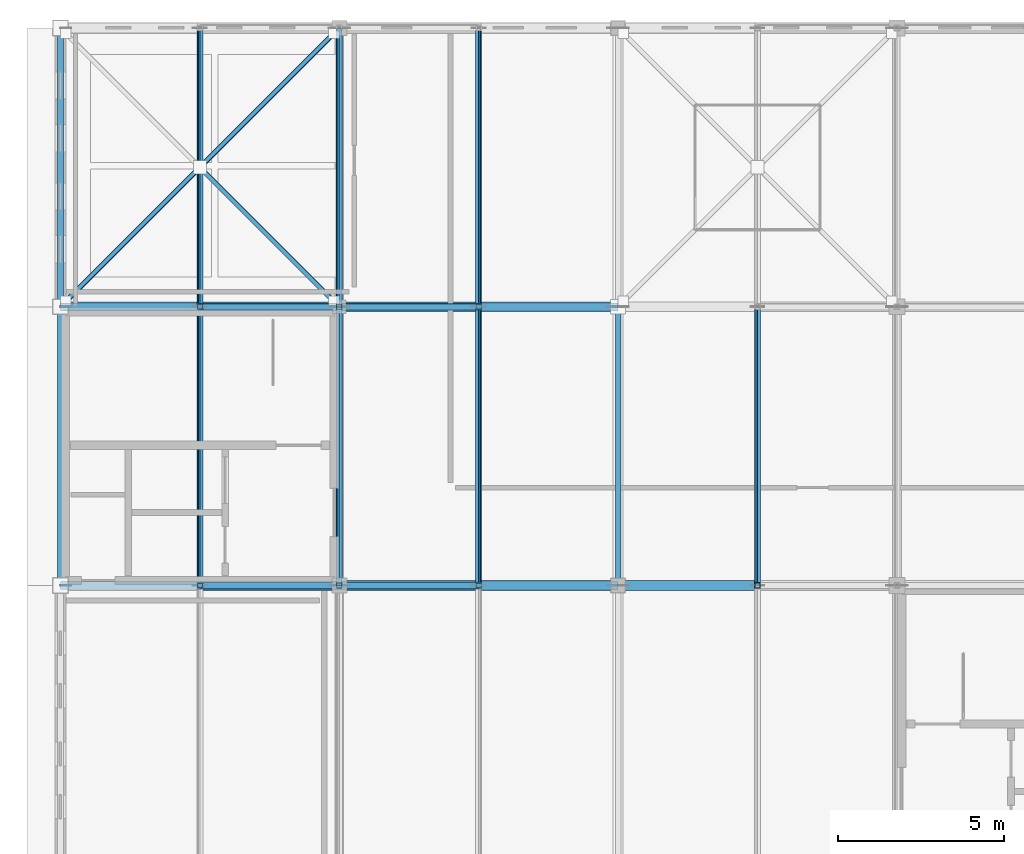
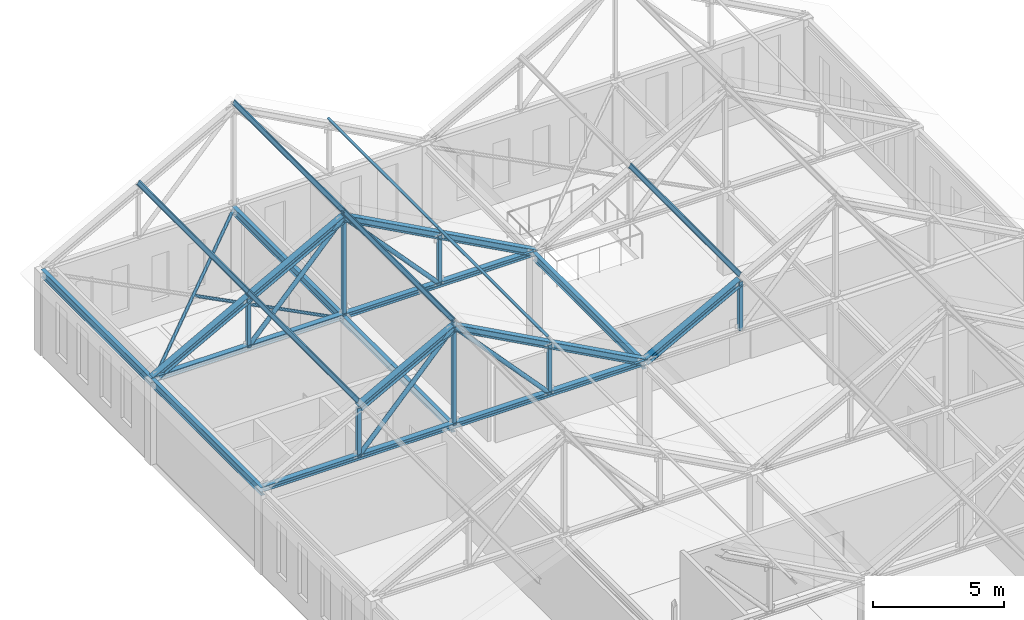
# One storey, part 12 of 36: 30 members, 5 beams.
"""IFC4 building model written with IfcOpenShell, lengths in metres."""

from ifc_helpers import new_model, si_unit, direction, frame, origin, origin_2d, place, context, subcontext, project, spatial, hollow_rectangle, hollow_circle, i_section, extrude, material, material_profile, profile_set, type_object, element, save


model = new_model("IFC4")

# Units and contexts
model_context = context("Model", 3, precision=1e-05, world=origin(), true_north=direction((0.0, 1.0)))
body_context = subcontext(model_context, "Body", "Model", "MODEL_VIEW")
ifc_project = project(units=[si_unit("LENGTHUNIT", "METRE"), si_unit("AREAUNIT", "SQUARE_METRE"), si_unit("VOLUMEUNIT", "CUBIC_METRE"), si_unit("PLANEANGLEUNIT", "RADIAN"), si_unit("MASSUNIT", "GRAM", prefix="KILO")], contexts=[model_context])

# Site, building, storey
site_placement = place(None, origin())
site = spatial("IfcSite", under=ifc_project, at=site_placement, CompositionType="ELEMENT")
building_placement = place(site_placement, origin())
building = spatial("IfcBuilding", under=site, at=building_placement, Name="Kveldsbrygga Polytechnic", CompositionType="ELEMENT")
storey_placement = place(building_placement, frame((0.0, 0.0, 26.179931640625)))
storey = spatial("IfcBuildingStorey", under=building, at=storey_placement, Name="L06", CompositionType="ELEMENT", Elevation=26.179931640625)

# Beams
ifc_material = material(Name="Steel S355", Category="steel")
ifc_material_profile_1 = material_profile(ifc_material, i_section(OverallWidth=0.169921875, OverallDepth=0.360107421875, WebThickness=0.008056640625, FlangeThickness=0.0126953125, FilletRadius=0.01806640625, at=origin_2d()), Name="IPE 360")
ifc_profile_set_1 = profile_set([ifc_material_profile_1], Name="Steel S355")
beam_type = type_object("IfcBeamType", Name="BM-STL-IPE360", PredefinedType="BEAM", material=ifc_profile_set_1)
beam_1_placement = place(storey_placement, frame((126.0, 84.0, 3.66015625), z_axis=(0.0, 1.0, 0.0), x_axis=(-1.0, 0.0, 0.0)))
element("IfcBeam", 1, at=beam_1_placement, inside=storey, type_object=beam_type, Name="Attic Eaves Tie Beam BMY-L06-TOP-15-10", PredefinedType="BEAM", context=body_context, shape_type="SweptSolid", body=[
    extrude(i_section(OverallWidth=0.169921875, OverallDepth=0.360107421875, WebThickness=0.008056640625, FlangeThickness=0.0126953125, FilletRadius=0.01806640625, at=origin_2d()), origin(), (0.0, 0.0, 1.0), 8.39990234375),
])
beam_2_placement = place(storey_placement, frame((126.0, 92.39990234375, 3.66015625), z_axis=(0.0, 1.0, 0.0), x_axis=(-1.0, 0.0, 0.0)))
element("IfcBeam", 2, at=beam_2_placement, inside=storey, type_object=beam_type, Name="Attic Eaves Tie Beam BMY-L06-TOP-15-11", PredefinedType="BEAM", context=body_context, shape_type="SweptSolid", body=[
    extrude(i_section(OverallWidth=0.169921875, OverallDepth=0.360107421875, WebThickness=0.008056640625, FlangeThickness=0.0126953125, FilletRadius=0.01806640625, at=origin_2d()), origin(), (0.0, 0.0, 1.0), 8.400146484375),
])
beam_3_placement = place(storey_placement, frame((134.39990234375, 84.0, 3.66015625), z_axis=(0.0, 1.0, 0.0), x_axis=(-1.0, 0.0, 0.0)))
element("IfcBeam", 3, at=beam_3_placement, inside=storey, type_object=beam_type, Name="Attic Eaves Tie Beam BMY-L06-TOP-16-10", PredefinedType="BEAM", context=body_context, shape_type="SweptSolid", body=[
    extrude(i_section(OverallWidth=0.169921875, OverallDepth=0.360107421875, WebThickness=0.008056640625, FlangeThickness=0.0126953125, FilletRadius=0.01806640625, at=origin_2d()), origin(), (0.0, 0.0, 1.0), 8.39990234375),
])
beam_4_placement = place(storey_placement, frame((134.39990234375, 92.39990234375, 3.66015625), z_axis=(0.0, 1.0, 0.0), x_axis=(-1.0, 0.0, 0.0)))
element("IfcBeam", 4, at=beam_4_placement, inside=storey, type_object=beam_type, Name="Attic Eaves Tie Beam BMY-L06-TOP-16-11", PredefinedType="BEAM", context=body_context, shape_type="SweptSolid", body=[
    extrude(i_section(OverallWidth=0.169921875, OverallDepth=0.360107421875, WebThickness=0.008056640625, FlangeThickness=0.0126953125, FilletRadius=0.01806640625, at=origin_2d()), origin(), (0.0, 0.0, 1.0), 8.400146484375),
])
beam_5_placement = place(storey_placement, frame((142.800048828125, 84.0, 3.66015625), z_axis=(0.0, 1.0, 0.0), x_axis=(-1.0, 0.0, 0.0)))
element("IfcBeam", 5, at=beam_5_placement, inside=storey, type_object=beam_type, Name="Attic Eaves Tie Beam BMY-L06-TOP-17-10", PredefinedType="BEAM", context=body_context, shape_type="SweptSolid", body=[
    extrude(i_section(OverallWidth=0.169921875, OverallDepth=0.360107421875, WebThickness=0.008056640625, FlangeThickness=0.0126953125, FilletRadius=0.01806640625, at=origin_2d()), origin(), (0.0, 0.0, 1.0), 8.39990234375),
])

# Members
ifc_material_profile_2 = material_profile(ifc_material, hollow_circle(Radius=0.06982421875, WallThickness=0.008056640625, at=origin_2d()), Name="CHS 139.7x8.0")
ifc_profile_set_2 = profile_set([ifc_material_profile_2], Name="Steel S355")
member_type_1 = type_object("IfcMemberType", Name="BR-ROOF-CHS140", PredefinedType="BRACE", material=ifc_profile_set_2)
member_1_placement = place(storey_placement, frame((126.0, 92.39990234375, 3.670166015625), z_axis=(0.707096505339, 0.707117056885, 0.0), x_axis=(-0.707117056885, 0.707096505339, 0.0)))
element("IfcMember", 6, at=member_1_placement, inside=storey, type_object=member_type_1, Name="Attic Eaves Continuous Wind Brace RBR-L06-15-11-A", PredefinedType="BRACE", context=body_context, shape_type="SweptSolid", body=[
    extrude(hollow_circle(Radius=0.06982421875, WallThickness=0.008056640625, at=origin_2d()), origin(), (0.0, 0.0, 1.0), 11.87939453125),
])
member_2_placement = place(storey_placement, frame((130.263671875, 96.536376953125, 3.670166015625), z_axis=(0.707085913038, -0.707127648719, 0.0), x_axis=(0.707127648719, 0.707085913038, 0.0)))
element("IfcMember", 7, at=member_2_placement, inside=storey, type_object=member_type_1, Name="Attic Eaves Split Wind Brace RBR-L06-15-11-B2", PredefinedType="BRACE", context=body_context, shape_type="SweptSolid", body=[
    extrude(hollow_circle(Radius=0.06982421875, WallThickness=0.008056640625, at=origin_2d()), origin(), (0.0, 0.0, 1.0), 5.849609375),
])
ifc_material_profile_3 = material_profile(ifc_material, i_section(OverallWidth=0.10009765625, OverallDepth=0.199951171875, WebThickness=0.005615234375, FlangeThickness=0.008544921875, FilletRadius=0.011962890625, at=origin_2d()), Name="IPE 200")
ifc_profile_set_3 = profile_set([ifc_material_profile_3], Name="Steel S355")
member_type_2 = type_object("IfcMemberType", Name="PRL-IPE200", PredefinedType="PURLIN", material=ifc_profile_set_3)
for number, where, z_axis, x_axis, name in (
    (8, (130.199951171875, 84.0, 6.393798828125), (0.0, 1.0, 0.0), (-0.879292204483, 0.0, 0.476282709256), "Roof Purlin V4M1-PRL-9-1"),
    (9, (134.39990234375, 84.0, 8.668701171875), (0.0, 1.0, 0.0), (-0.879292204483, 0.0, 0.476282709256), "Roof Purlin V4M1-PRL-9-2"),
    (10, (138.60009765625, 84.0, 6.393798828125), (0.0, 1.0, 0.0), (-0.879292204483, 0.0, -0.476282709256), "Roof Purlin V4M1-PRL-9-3"),
):
    element("IfcMember", number, at=place(storey_placement, frame(where, z_axis=z_axis, x_axis=x_axis)), inside=storey, type_object=member_type_2, Name=name, PredefinedType="PURLIN", context=body_context, shape_type="SweptSolid", body=[
        extrude(i_section(OverallWidth=0.10009765625, OverallDepth=0.199951171875, WebThickness=0.005615234375, FlangeThickness=0.008544921875, FilletRadius=0.011962890625, at=origin_2d()), origin(), (0.0, 0.0, 1.0), 8.39990234375),
    ])
for number, where, z_axis, x_axis, name in (
    (11, (130.199951171875, 92.39990234375, 6.393798828125), (0.0, 1.0, 0.0), (-0.879292204483, 0.0, 0.476282709256), "Roof Purlin V4M1-PRL-10-1"),
    (12, (134.39990234375, 92.39990234375, 8.668701171875), (0.0, 1.0, 0.0), (-0.879292204483, 0.0, 0.476282709256), "Roof Purlin V4M1-PRL-10-2"),
    (13, (138.60009765625, 92.39990234375, 6.393798828125), (0.0, 1.0, 0.0), (-0.879292204483, 0.0, -0.476282709256), "Roof Purlin V4M1-PRL-10-3"),
):
    element("IfcMember", number, at=place(storey_placement, frame(where, z_axis=z_axis, x_axis=x_axis)), inside=storey, type_object=member_type_2, Name=name, PredefinedType="PURLIN", context=body_context, shape_type="SweptSolid", body=[
        extrude(i_section(OverallWidth=0.10009765625, OverallDepth=0.199951171875, WebThickness=0.005615234375, FlangeThickness=0.008544921875, FilletRadius=0.011962890625, at=origin_2d()), origin(), (0.0, 0.0, 1.0), 8.400146484375),
    ])
member_3_placement = place(storey_placement, frame((147.0, 84.0, 6.393798828125), z_axis=(0.0, 1.0, 0.0), x_axis=(-0.879292204483, 0.0, 0.476282709256)))
element("IfcMember", 14, at=member_3_placement, inside=storey, type_object=member_type_2, Name="Roof Purlin V4M2-PRL-9-1", PredefinedType="PURLIN", context=body_context, shape_type="SweptSolid", body=[
    extrude(i_section(OverallWidth=0.10009765625, OverallDepth=0.199951171875, WebThickness=0.005615234375, FlangeThickness=0.008544921875, FilletRadius=0.011962890625, at=origin_2d()), origin(), (0.0, 0.0, 1.0), 8.39990234375),
])
ifc_material_profile_4 = material_profile(ifc_material, i_section(OverallWidth=0.239990234375, OverallDepth=0.22998046875, WebThickness=0.007568359375, FlangeThickness=0.011962890625, FilletRadius=0.02099609375, at=origin_2d()), Name="HEA 240")
ifc_profile_set_4 = profile_set([ifc_material_profile_4], Name="Steel S355")
member_type_3 = type_object("IfcMemberType", Name="TR-BOT-HEA240", PredefinedType="CHORD", material=ifc_profile_set_4)
for number, where, z_axis, x_axis, name in (
    (15, (126.0, 84.0, 3.840087890625), (1.0, 0.0, 0.0), (0.0, 1.0, 0.0), "Truss Bottom Chord V4M1-T09-BC-1"),
    (16, (126.0, 92.39990234375, 3.840087890625), (1.0, 0.0, 0.0), (0.0, 1.0, 0.0), "Truss Bottom Chord V4M1-T10-BC-1"),
):
    element("IfcMember", number, at=place(storey_placement, frame(where, z_axis=z_axis, x_axis=x_axis)), inside=storey, type_object=member_type_3, Name=name, PredefinedType="CHORD", context=body_context, shape_type="SweptSolid", body=[
        extrude(i_section(OverallWidth=0.239990234375, OverallDepth=0.22998046875, WebThickness=0.007568359375, FlangeThickness=0.011962890625, FilletRadius=0.02099609375, at=origin_2d()), origin(), (0.0, 0.0, 1.0), 16.800048828125),
    ])
ifc_material_profile_5 = material_profile(ifc_material, hollow_circle(Radius=0.096923828125, WallThickness=0.010009765625, at=origin_2d()), Name="CHS 193.7x10.0")
ifc_profile_set_5 = profile_set([ifc_material_profile_5], Name="Steel S355")
member_type_4 = type_object("IfcMemberType", Name="TR-DIAG-CHS194", PredefinedType="BRACE", material=ifc_profile_set_5)
member_4_placement = place(storey_placement, frame((130.199951171875, 84.0, 3.840087890625), z_axis=(0.678271914864, 0.0, 0.734811002576), x_axis=(0.0, 1.0, 0.0)))
element("IfcMember", 17, at=member_4_placement, inside=storey, type_object=member_type_4, Name="Truss Diagonal V4M1-T09-DG-2", PredefinedType="BRACE", context=body_context, shape_type="SweptSolid", body=[
    extrude(hollow_circle(Radius=0.096923828125, WallThickness=0.010009765625, at=origin_2d()), origin(), (0.0, 0.0, 1.0), 6.192138671875),
])
member_5_placement = place(storey_placement, frame((134.39990234375, 84.0, 8.39013671875), z_axis=(0.678293202798, 0.0, -0.734791352043), x_axis=(0.0, 1.0, 0.0)))
element("IfcMember", 18, at=member_5_placement, inside=storey, type_object=member_type_4, Name="Truss Diagonal V4M1-T09-DG-3", PredefinedType="BRACE", context=body_context, shape_type="SweptSolid", body=[
    extrude(hollow_circle(Radius=0.096923828125, WallThickness=0.010009765625, at=origin_2d()), origin(), (0.0, 0.0, 1.0), 6.1923828125),
])
member_6_placement = place(storey_placement, frame((130.199951171875, 92.39990234375, 3.840087890625), z_axis=(0.678271914864, 0.0, 0.734811002576), x_axis=(0.0, 1.0, 0.0)))
element("IfcMember", 19, at=member_6_placement, inside=storey, type_object=member_type_4, Name="Truss Diagonal V4M1-T10-DG-2", PredefinedType="BRACE", context=body_context, shape_type="SweptSolid", body=[
    extrude(hollow_circle(Radius=0.096923828125, WallThickness=0.010009765625, at=origin_2d()), origin(), (0.0, 0.0, 1.0), 6.192138671875),
])
member_7_placement = place(storey_placement, frame((134.39990234375, 92.39990234375, 8.39013671875), z_axis=(0.678293202798, 0.0, -0.734791352043), x_axis=(0.0, 1.0, 0.0)))
element("IfcMember", 20, at=member_7_placement, inside=storey, type_object=member_type_4, Name="Truss Diagonal V4M1-T10-DG-3", PredefinedType="BRACE", context=body_context, shape_type="SweptSolid", body=[
    extrude(hollow_circle(Radius=0.096923828125, WallThickness=0.010009765625, at=origin_2d()), origin(), (0.0, 0.0, 1.0), 6.1923828125),
])
ifc_material_profile_6 = material_profile(ifc_material, hollow_rectangle(XDim=0.159912109375, YDim=0.159912109375, WallThickness=0.010009765625, at=origin_2d()), Name="SHS 160x160x10.0")
ifc_profile_set_6 = profile_set([ifc_material_profile_6], Name="Steel S355")
member_type_5 = type_object("IfcMemberType", Name="TR-POST-SHS160", PredefinedType="STRUT", material=ifc_profile_set_6)
member_8_placement = place(storey_placement, frame((130.199951171875, 84.0, 3.840087890625), z_axis=(0.0, 0.0, 1.0), x_axis=(1.0, 0.0, 0.0)))
element("IfcMember", 21, at=member_8_placement, inside=storey, type_object=member_type_5, Name="Truss Vertical V4M1-T09-VT-1", PredefinedType="STRUT", context=body_context, shape_type="SweptSolid", body=[
    extrude(hollow_rectangle(XDim=0.159912109375, YDim=0.159912109375, WallThickness=0.010009765625, at=origin_2d()), origin(), (0.0, 0.0, 1.0), 2.27490234375),
])
member_9_placement = place(storey_placement, frame((134.39990234375, 84.0, 3.840087890625), z_axis=(0.0, 0.0, 1.0), x_axis=(1.0, 0.0, 0.0)))
element("IfcMember", 22, at=member_9_placement, inside=storey, type_object=member_type_5, Name="Truss Vertical V4M1-T09-VT-2", PredefinedType="STRUT", context=body_context, shape_type="SweptSolid", body=[
    extrude(hollow_rectangle(XDim=0.159912109375, YDim=0.159912109375, WallThickness=0.010009765625, at=origin_2d()), origin(), (0.0, 0.0, 1.0), 4.82861328125),
])
for number, where, z_axis, x_axis, name in (
    (23, (138.60009765625, 84.0, 3.840087890625), (0.0, 0.0, 1.0), (1.0, 0.0, 0.0), "Truss Vertical V4M1-T09-VT-3"),
    (24, (130.199951171875, 92.39990234375, 3.840087890625), (0.0, 0.0, 1.0), (1.0, 0.0, 0.0), "Truss Vertical V4M1-T10-VT-1"),
):
    element("IfcMember", number, at=place(storey_placement, frame(where, z_axis=z_axis, x_axis=x_axis)), inside=storey, type_object=member_type_5, Name=name, PredefinedType="STRUT", context=body_context, shape_type="SweptSolid", body=[
        extrude(hollow_rectangle(XDim=0.159912109375, YDim=0.159912109375, WallThickness=0.010009765625, at=origin_2d()), origin(), (0.0, 0.0, 1.0), 2.27490234375),
    ])
member_10_placement = place(storey_placement, frame((134.39990234375, 92.39990234375, 3.840087890625), z_axis=(0.0, 0.0, 1.0), x_axis=(1.0, 0.0, 0.0)))
element("IfcMember", 25, at=member_10_placement, inside=storey, type_object=member_type_5, Name="Truss Vertical V4M1-T10-VT-2", PredefinedType="STRUT", context=body_context, shape_type="SweptSolid", body=[
    extrude(hollow_rectangle(XDim=0.159912109375, YDim=0.159912109375, WallThickness=0.010009765625, at=origin_2d()), origin(), (0.0, 0.0, 1.0), 4.82861328125),
])
for number, where, z_axis, x_axis, name in (
    (26, (138.60009765625, 92.39990234375, 3.840087890625), (0.0, 0.0, 1.0), (1.0, 0.0, 0.0), "Truss Vertical V4M1-T10-VT-3"),
    (27, (147.0, 84.0, 3.840087890625), (0.0, 0.0, 1.0), (1.0, 0.0, 0.0), "Truss Vertical V4M2-T09-VT-1"),
):
    element("IfcMember", number, at=place(storey_placement, frame(where, z_axis=z_axis, x_axis=x_axis)), inside=storey, type_object=member_type_5, Name=name, PredefinedType="STRUT", context=body_context, shape_type="SweptSolid", body=[
        extrude(hollow_rectangle(XDim=0.159912109375, YDim=0.159912109375, WallThickness=0.010009765625, at=origin_2d()), origin(), (0.0, 0.0, 1.0), 2.27490234375),
    ])
ifc_material_profile_7 = material_profile(ifc_material, i_section(OverallWidth=0.300048828125, OverallDepth=0.2900390625, WebThickness=0.008544921875, FlangeThickness=0.013916015625, FilletRadius=0.027099609375, at=origin_2d()), Name="HEA 300")
ifc_profile_set_7 = profile_set([ifc_material_profile_7], Name="Steel S355")
member_type_6 = type_object("IfcMemberType", Name="TR-TOP-HEA300", PredefinedType="CHORD", material=ifc_profile_set_7)
member_11_placement = place(storey_placement, frame((130.199951171875, 84.0, 6.114990234375), z_axis=(0.879276804059, 0.0, 0.476311139744), x_axis=(0.0, 1.0, 0.0)))
element("IfcMember", 28, at=member_11_placement, inside=storey, type_object=member_type_6, Name="Truss Top Chord V4M1-T09-TC-2", PredefinedType="CHORD", context=body_context, shape_type="SweptSolid", body=[
    extrude(i_section(OverallWidth=0.300048828125, OverallDepth=0.2900390625, WebThickness=0.008544921875, FlangeThickness=0.013916015625, FilletRadius=0.027099609375, at=origin_2d()), origin(), (0.0, 0.0, 1.0), 4.776611328125),
])
member_12_placement = place(storey_placement, frame((134.39990234375, 84.0, 8.39013671875), z_axis=(0.879288399135, 0.0, -0.476289734454), x_axis=(0.0, 1.0, 0.0)))
element("IfcMember", 29, at=member_12_placement, inside=storey, type_object=member_type_6, Name="Truss Top Chord V4M1-T09-TC-3", PredefinedType="CHORD", context=body_context, shape_type="SweptSolid", body=[
    extrude(i_section(OverallWidth=0.300048828125, OverallDepth=0.2900390625, WebThickness=0.008544921875, FlangeThickness=0.013916015625, FilletRadius=0.027099609375, at=origin_2d()), origin(), (0.0, 0.0, 1.0), 4.77685546875),
])
for number, where, z_axis, x_axis, name in (
    (30, (138.60009765625, 84.0, 6.114990234375), (0.879298209803, 0.0, -0.47627162233), (0.0, 1.0, 0.0), "Truss Top Chord V4M1-T09-TC-4"),
    (31, (126.0, 92.39990234375, 3.840087890625), (0.879298209803, 0.0, 0.47627162233), (0.0, 1.0, 0.0), "Truss Top Chord V4M1-T10-TC-1"),
):
    element("IfcMember", number, at=place(storey_placement, frame(where, z_axis=z_axis, x_axis=x_axis)), inside=storey, type_object=member_type_6, Name=name, PredefinedType="CHORD", context=body_context, shape_type="SweptSolid", body=[
        extrude(i_section(OverallWidth=0.300048828125, OverallDepth=0.2900390625, WebThickness=0.008544921875, FlangeThickness=0.013916015625, FilletRadius=0.027099609375, at=origin_2d()), origin(), (0.0, 0.0, 1.0), 4.7763671875),
    ])
member_13_placement = place(storey_placement, frame((130.199951171875, 92.39990234375, 6.114990234375), z_axis=(0.879276804059, 0.0, 0.476311139744), x_axis=(0.0, 1.0, 0.0)))
element("IfcMember", 32, at=member_13_placement, inside=storey, type_object=member_type_6, Name="Truss Top Chord V4M1-T10-TC-2", PredefinedType="CHORD", context=body_context, shape_type="SweptSolid", body=[
    extrude(i_section(OverallWidth=0.300048828125, OverallDepth=0.2900390625, WebThickness=0.008544921875, FlangeThickness=0.013916015625, FilletRadius=0.027099609375, at=origin_2d()), origin(), (0.0, 0.0, 1.0), 4.776611328125),
])
member_14_placement = place(storey_placement, frame((134.39990234375, 92.39990234375, 8.39013671875), z_axis=(0.879288399135, 0.0, -0.476289734454), x_axis=(0.0, 1.0, 0.0)))
element("IfcMember", 33, at=member_14_placement, inside=storey, type_object=member_type_6, Name="Truss Top Chord V4M1-T10-TC-3", PredefinedType="CHORD", context=body_context, shape_type="SweptSolid", body=[
    extrude(i_section(OverallWidth=0.300048828125, OverallDepth=0.2900390625, WebThickness=0.008544921875, FlangeThickness=0.013916015625, FilletRadius=0.027099609375, at=origin_2d()), origin(), (0.0, 0.0, 1.0), 4.77685546875),
])
for number, where, z_axis, x_axis, name in (
    (34, (138.60009765625, 92.39990234375, 6.114990234375), (0.879298209803, 0.0, -0.47627162233), (0.0, 1.0, 0.0), "Truss Top Chord V4M1-T10-TC-4"),
    (35, (142.800048828125, 84.0, 3.840087890625), (0.879298209803, 0.0, 0.47627162233), (0.0, 1.0, 0.0), "Truss Top Chord V4M2-T09-TC-1"),
):
    element("IfcMember", number, at=place(storey_placement, frame(where, z_axis=z_axis, x_axis=x_axis)), inside=storey, type_object=member_type_6, Name=name, PredefinedType="CHORD", context=body_context, shape_type="SweptSolid", body=[
        extrude(i_section(OverallWidth=0.300048828125, OverallDepth=0.2900390625, WebThickness=0.008544921875, FlangeThickness=0.013916015625, FilletRadius=0.027099609375, at=origin_2d()), origin(), (0.0, 0.0, 1.0), 4.7763671875),
    ])

save(model, "model.ifc")
